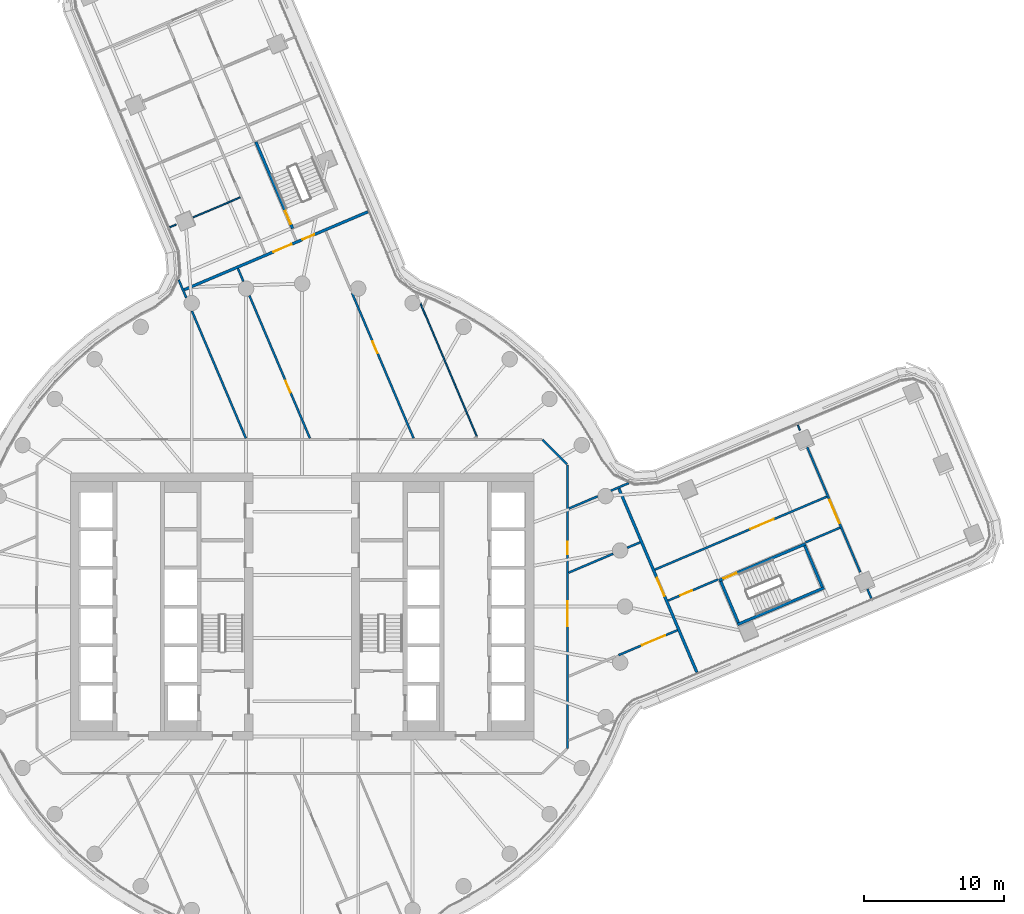
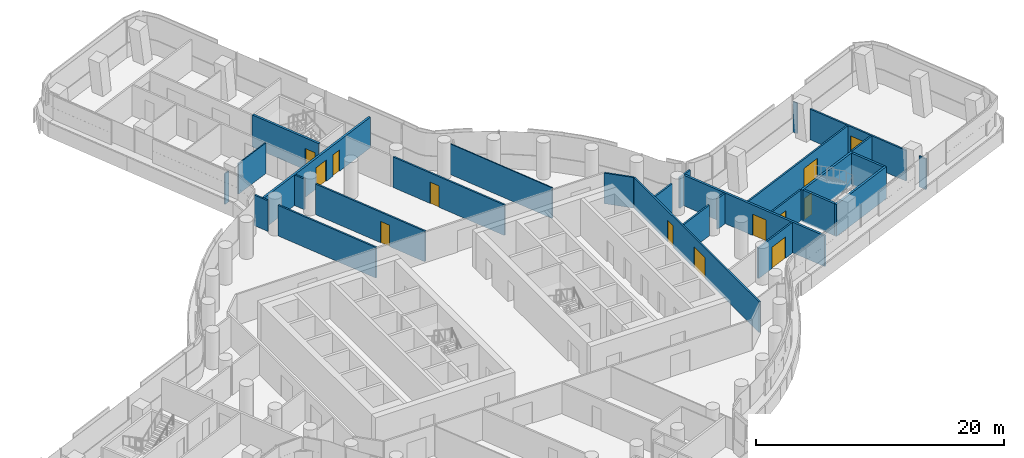
# One storey, part 25 of 35: 28 walls, 13 doors, 13 openings.
"""IFC4 building model written with IfcOpenShell, lengths in metres."""

import ifcopenshell
import ifcopenshell.guid

model = None  # the IFC model being written
_history = None  # IfcOwnerHistory: only IFC2X3 demands one
_inside = {}  # id of a spatial element -> (the spatial element, [elements in it])
_under = {}  # id of a project, library or spatial element -> (it, [spatial elements below it])
_declared = {}  # id of a project -> (the project, [libraries it declares])
_typed = {}  # id of a type object -> (the type object, [elements of that type])
_made_of = {}  # id of a material, layer set ... -> (it, [elements and type objects made of it])


def new_model(schema):
    """Start an empty IFC model of exactly this schema.

    Asked for "IFC4X3", IfcOpenShell would pick the latest addendum, in which some entities
    have other attributes; the version numbers below select the first issue.
    IFC2X3 requires an IfcOwnerHistory on every rooted entity: one is made here for all.
    """
    global model, _history
    if schema == "IFC4X3":
        model = ifcopenshell.file(schema_version=(4, 3, 0, 0))
    else:
        model = ifcopenshell.file(schema=schema)
    _inside.clear()
    _under.clear()
    _declared.clear()
    _typed.clear()
    _made_of.clear()
    _history = None
    if model.schema == "IFC2X3":
        org = make("IfcOrganization", Name="unknown")
        user = make(
            "IfcPersonAndOrganization",
            ThePerson=make("IfcPerson", FamilyName="unknown"),
            TheOrganization=org,
        )
        app = make(
            "IfcApplication",
            ApplicationDeveloper=org,
            Version="unknown",
            ApplicationFullName="unknown",
            ApplicationIdentifier="unknown",
        )
        _history = make(
            "IfcOwnerHistory",
            OwningUser=user,
            OwningApplication=app,
            ChangeAction="ADDED",
            CreationDate=0,
        )
    return model


def make(cls, **values):
    """One entity of the class cls with the attributes given. An attribute that is None is left unset."""
    return model.create_entity(
        cls, **{name: value for name, value in values.items() if value is not None}
    )


def rooted(cls, **values):
    """An entity with a GlobalId (a new one), such as an element, a storey or a relation."""
    return make(cls, GlobalId=ifcopenshell.guid.new(), OwnerHistory=_history, **values)


def si_unit(unit_type, name, prefix=None):
    """IfcSIUnit, for example si_unit("LENGTHUNIT", "METRE", prefix="MILLI")."""
    return make("IfcSIUnit", UnitType=unit_type, Prefix=prefix, Name=name)


def assignment(units):
    """IfcUnitAssignment: the units of a project."""
    return None if units is None else make("IfcUnitAssignment", Units=units)


def point(xyz):
    """IfcCartesianPoint."""
    return None if xyz is None else make("IfcCartesianPoint", Coordinates=xyz)


def direction(xyz):
    """IfcDirection."""
    return None if xyz is None else make("IfcDirection", DirectionRatios=xyz)


def frame(location, z_axis=None, x_axis=None):
    """IfcAxis2Placement3D, a coordinate frame: its origin and axes. An axis left out is left unset."""
    return make(
        "IfcAxis2Placement3D",
        Location=point(location),
        Axis=direction(z_axis),
        RefDirection=direction(x_axis),
    )


def frame_2d(location, x_axis=None):
    """IfcAxis2Placement2D, a coordinate frame in the plane: its origin and x axis."""
    return make(
        "IfcAxis2Placement2D", Location=point(location), RefDirection=direction(x_axis)
    )


def origin():
    """The frame at (0, 0, 0) with its axes left unset."""
    return frame((0.0, 0.0, 0.0))


def place(relative_to, where):
    """IfcLocalPlacement: puts the frame where relative to a parent placement (None: the world)."""
    return make(
        "IfcLocalPlacement", PlacementRelTo=relative_to, RelativePlacement=where
    )


def context(
    kind, dimensions, precision=None, world=None, true_north=None, identifier=None
):
    """IfcGeometricRepresentationContext, for example the 3D "Model" context."""
    return make(
        "IfcGeometricRepresentationContext",
        ContextIdentifier=identifier,
        ContextType=kind,
        CoordinateSpaceDimension=dimensions,
        Precision=precision,
        WorldCoordinateSystem=world,
        TrueNorth=true_north,
    )


def subcontext(parent, identifier, kind, view, scale=None):
    """IfcGeometricRepresentationSubContext, for example "Body" below "Model"."""
    return make(
        "IfcGeometricRepresentationSubContext",
        ContextIdentifier=identifier,
        ContextType=kind,
        ParentContext=parent,
        TargetScale=scale,
        TargetView=view,
    )


def project(units=None, contexts=None):
    """IfcProject with its units and contexts."""
    return rooted(
        "IfcProject",
        Name="project",
        RepresentationContexts=contexts,
        UnitsInContext=assignment(units),
    )


def spatial(cls, under=None, at=None, **own):
    """A site, building, storey or space (cls), placed at a placement, below another one or the project."""
    s = rooted(cls, ObjectPlacement=at, **own)
    if under is not None:
        _under.setdefault(under.id(), (under, []))[1].append(s)
    return s


def polyline(points):
    """IfcPolyline through the points."""
    return make("IfcPolyline", Points=[point(p) for p in points])


def profile(cls, at=None, kind="AREA", **sizes):
    """A parametric profile (cls). Its sizes go by their IFC names, for example OverallWidth=200.0."""
    return make(cls, ProfileType=kind, Position=at, **sizes)


def rectangle(**sizes):
    """IfcRectangleProfileDef."""
    return profile("IfcRectangleProfileDef", **sizes)


def outline(outer, holes=None, kind="AREA"):
    """IfcArbitraryClosedProfileDef: a profile drawn as a closed curve; with holes, ...WithVoids."""
    if holes is None:
        return make("IfcArbitraryClosedProfileDef", ProfileType=kind, OuterCurve=outer)
    return make(
        "IfcArbitraryProfileDefWithVoids",
        ProfileType=kind,
        OuterCurve=outer,
        InnerCurves=holes,
    )


def extrude(swept, where, along, depth):
    """IfcExtrudedAreaSolid: the profile swept, set in the frame where, extruded along a direction by depth."""
    return make(
        "IfcExtrudedAreaSolid",
        SweptArea=swept,
        Position=where,
        ExtrudedDirection=direction(along),
        Depth=depth,
    )


def shape(context_of_items, identifier, shape_type, items):
    """IfcShapeRepresentation: the items that make up one representation, for example the "Body"."""
    return make(
        "IfcShapeRepresentation",
        ContextOfItems=context_of_items,
        RepresentationIdentifier=identifier,
        RepresentationType=shape_type,
        Items=items,
    )


def material(Name=None, Category=None):
    """IfcMaterial."""
    return make("IfcMaterial", Name=Name, Category=Category)


def layer(
    of_material, thickness, ventilated=None, Name=None, Category=None, Priority=None
):
    """IfcMaterialLayer: one layer of a wall or slab, of a material (None: an air gap)."""
    return make(
        "IfcMaterialLayer",
        Material=of_material,
        LayerThickness=thickness,
        IsVentilated=ventilated,
        Name=Name,
        Category=Category,
        Priority=Priority,
    )


def layer_set(layers, Name=None):
    """IfcMaterialLayerSet."""
    return make("IfcMaterialLayerSet", MaterialLayers=layers, LayerSetName=Name)


def made_of(thing, what):
    """Note that an element or type object is made of a material, layer set ...; save() writes the relation."""
    if what is not None:
        _made_of.setdefault(what.id(), (what, []))[1].append(thing)
    return thing


def type_object(cls, material=None, **own):
    """A type object (cls), such as IfcWallType, which elements share."""
    return made_of(rooted(cls, **own), material)


def element(
    cls,
    number,
    at=None,
    inside=None,
    cuts=None,
    type_object=None,
    material=None,
    context=None,
    identifier="Body",
    shape_type=None,
    held_by="IfcProductDefinitionShape",
    body=None,
    shapes=None,
    **own,
):
    """One element of the class cls, such as IfcWall. Its Tag is "e" and its number.

    at: its placement. inside: the storey or other place that contains it. cuts: it is an
    opening in that element (IfcRelVoidsElement). A single representation is given by context,
    identifier, shape_type and body (its items); several are given by shapes. held_by: the class
    of the entity that holds the representations. save() writes the other relations.
    """
    e = rooted(cls, Tag="e%d" % number, ObjectPlacement=at, **own)
    if body is not None:
        shapes = [shape(context, identifier, shape_type, body)]
    if shapes is not None:
        e.Representation = make(held_by, Representations=shapes)
    if inside is not None:
        _inside.setdefault(inside.id(), (inside, []))[1].append(e)
    if cuts is not None:
        rooted(
            "IfcRelVoidsElement", RelatingBuildingElement=cuts, RelatedOpeningElement=e
        )
    if type_object is not None:
        _typed.setdefault(type_object.id(), (type_object, []))[1].append(e)
    return made_of(e, material)


def fill(opening, filler):
    """IfcRelFillsElement: the door or window that sits in an opening."""
    return rooted(
        "IfcRelFillsElement",
        RelatingOpeningElement=opening,
        RelatedBuildingElement=filler,
    )


def aggregate(whole, parts):
    """IfcRelAggregates: a whole, such as a stair, and the parts it consists of."""
    return rooted("IfcRelAggregates", RelatingObject=whole, RelatedObjects=parts)


def save(model, path):
    """Write the relations noted so far, then the file.

    IfcRelAggregates (storeys below a building ...), IfcRelContainedInSpatialStructure (elements
    in a storey), IfcRelDefinesByType, IfcRelAssociatesMaterial and IfcRelDeclares: one each for
    every whole, place, type object, material and project.
    """
    for whole, parts in _under.values():
        aggregate(whole, parts)
    for where, things in _inside.values():
        rooted(
            "IfcRelContainedInSpatialStructure",
            RelatedElements=things,
            RelatingStructure=where,
        )
    for kind, things in _typed.values():
        rooted("IfcRelDefinesByType", RelatedObjects=things, RelatingType=kind)
    for what, things in _made_of.values():
        rooted("IfcRelAssociatesMaterial", RelatedObjects=things, RelatingMaterial=what)
    for by, libraries in _declared.values():
        rooted("IfcRelDeclares", RelatingContext=by, RelatedDefinitions=libraries)
    model.write(path)


model = new_model("IFC4")

# Units and contexts
model_context = context("Model", 3, precision=1e-05, world=origin(), true_north=direction((0.0, 1.0)))
body_context = subcontext(model_context, "Body", "Model", "MODEL_VIEW")
ifc_project = project(units=[si_unit("LENGTHUNIT", "METRE"), si_unit("AREAUNIT", "SQUARE_METRE"), si_unit("VOLUMEUNIT", "CUBIC_METRE"), si_unit("PLANEANGLEUNIT", "RADIAN"), si_unit("MASSUNIT", "GRAM", prefix="KILO")], contexts=[model_context])

# Site, building, storey
site_placement = place(None, origin())
site = spatial("IfcSite", under=ifc_project, at=site_placement, CompositionType="ELEMENT")
building_placement = place(site_placement, origin())
building = spatial("IfcBuilding", under=site, at=building_placement, Name="Tamarind Cross Interchange Tower", CompositionType="ELEMENT")
storey_placement = place(building_placement, frame((0.0, 0.0, 117.25)))
storey = spatial("IfcBuildingStorey", under=building, at=storey_placement, Name="L28", CompositionType="ELEMENT", Elevation=117.25)

# Walls
ifc_material_1 = material(Name="Gypsum board partition on steel studs", Category="steel")
ifc_layer_1 = layer(ifc_material_1, 0.10009765625)
ifc_layer_set_1 = layer_set([ifc_layer_1], Name="Gypsum board partition on steel studs")
wall_type_1 = type_object("IfcWallType", Name="Partition 100 mm EI 90", PredefinedType="PARTITIONING", material=ifc_layer_set_1)
wall_1_placement = place(storey_placement, frame((8.423583984375, 21.6025390625, 0.0), z_axis=(0.0, 0.0, 1.0), x_axis=(0.390568116641, -0.920574030844, 0.0)))
element("IfcWall", 1, at=wall_1_placement, inside=storey, type_object=wall_type_1, Name="Partition L28-028", PredefinedType="PARTITIONING", context=body_context, shape_type="SweptSolid", body=[
    extrude(rectangle(XDim=10.295166015625, YDim=0.10009765625, at=frame_2d((5.1474609375, 0.0))), origin(), (0.0, 0.0, 1.0), 3.010009765625),
])
wall_2_placement = place(storey_placement, frame((35.305419921875, 12.935302734375, 0.0), z_axis=(0.0, 0.0, 1.0), x_axis=(0.390243347733, -0.920711751609, 0.0)))
element("IfcWall", 2, at=wall_2_placement, inside=storey, type_object=wall_type_1, Name="Partition L28-030", PredefinedType="PARTITIONING", context=body_context, shape_type="SweptSolid", body=[
    extrude(rectangle(XDim=0.4091796875, YDim=0.10009765625, at=frame_2d((0.20458984375, 0.0))), origin(), (0.0, 0.0, 1.0), 3.010009765625),
])
wall_3_placement = place(storey_placement, frame((-9.4345703125, 27.013671875, 0.0), z_axis=(0.0, 0.0, 1.0), x_axis=(0.920660619586, 0.390363962917, 0.0)))
element("IfcWall", 3, at=wall_3_placement, inside=storey, type_object=wall_type_1, Name="Partition L28-058", PredefinedType="PARTITIONING", context=body_context, shape_type="SweptSolid", body=[
    extrude(rectangle(XDim=0.505859375, YDim=0.10009765625, at=frame_2d((0.2529296875, 0.0))), origin(), (0.0, 0.0, 1.0), 3.010009765625),
])
wall_4_placement = place(storey_placement, frame((-7.765380859375, 27.7216796875, 0.0), z_axis=(0.0, 0.0, 1.0), x_axis=(0.920627091649, 0.390443028011, 0.0)))
element("IfcWall", 4, at=wall_4_placement, inside=storey, type_object=wall_type_1, Name="Partition L28-059", PredefinedType="PARTITIONING", context=body_context, shape_type="SweptSolid", body=[
    extrude(rectangle(XDim=3.63916015625, YDim=0.10009765625, at=frame_2d((1.819580078125, 0.0))), origin(), (0.0, 0.0, 1.0), 3.010009765625),
])
ifc_layer_2 = layer(ifc_material_1, 0.14990234375)
ifc_layer_set_2 = layer_set([ifc_layer_2], Name="Gypsum board partition on steel studs")
wall_type_2 = type_object("IfcWallType", Name="Partition 150 mm EI 120", PredefinedType="PARTITIONING", material=ifc_layer_set_2)
wall_5_placement = place(storey_placement, frame((-8.79443359375, 23.27099609375, 0.0), z_axis=(0.0, 0.0, 1.0), x_axis=(0.39037380127, -0.920656448021, 0.0)))
element("IfcWall", 5, at=wall_5_placement, inside=storey, type_object=wall_type_2, Name="Partition L28-008", PredefinedType="PARTITIONING", context=body_context, shape_type="SweptSolid", body=[
    extrude(rectangle(XDim=1.388916015625, YDim=0.14990234375, at=frame_2d((0.6943359375, 0.0))), origin(), (0.0, 0.0, 1.0), 3.010009765625),
])
wall_6_placement = place(storey_placement, frame((-7.85498046875, 21.055908203125, 0.0), z_axis=(0.0, 0.0, 1.0), x_axis=(0.390527569726, -0.920591232461, 0.0)))
element("IfcWall", 6, at=wall_6_placement, inside=storey, type_object=wall_type_2, Name="Partition L28-009", PredefinedType="PARTITIONING", context=body_context, shape_type="SweptSolid", body=[
    extrude(rectangle(XDim=9.8505859375, YDim=0.14990234375, at=frame_2d((4.92529296875, 0.0))), origin(), (0.0, 0.0, 1.0), 3.010009765625),
])
wall_7_placement = place(storey_placement, frame((-4.574951171875, 24.078857421875, 0.0), z_axis=(0.0, 0.0, 1.0), x_axis=(0.390612620021, -0.92055514831, 0.0)))
element("IfcWall", 7, at=wall_7_placement, inside=storey, type_object=wall_type_2, Name="Partition L28-014", PredefinedType="PARTITIONING", context=body_context, shape_type="SweptSolid", body=[
    extrude(rectangle(XDim=0.998779296875, YDim=0.14990234375, at=frame_2d((0.49951171875, 0.0))), origin(), (0.0, 0.0, 1.0), 3.010009765625),
])

# Wall, opening, door
wall_8_placement = place(storey_placement, frame((-3.75830078125, 22.15380859375, 0.0), z_axis=(0.0, 0.0, 1.0), x_axis=(0.390495909229, -0.92060466264, 0.0)))
wall_8 = element("IfcWall", 8, at=wall_8_placement, inside=storey, type_object=wall_type_2, Name="Partition L28-015", PredefinedType="PARTITIONING", context=body_context, shape_type="SweptSolid", body=[
    extrude(rectangle(XDim=11.04296875, YDim=0.14990234375, at=frame_2d((5.521484375, 0.0))), origin(), (0.0, 0.0, 1.0), 3.010009765625),
])
opening_1_placement = place(wall_8_placement, frame((6.60009765625, 0.0, 0.0)))
opening_1 = element("IfcOpeningElement", 9, at=opening_1_placement, cuts=wall_8, Name="Opening D10", PredefinedType="OPENING", context=body_context, shape_type="SweptSolid", body=[
    extrude(rectangle(XDim=0.89990234375, YDim=2.10009765625, at=frame_2d((0.449951171875, 1.050048828125))), frame((0.0, 0.0849609375, 0.0), z_axis=(0.0, -1.0, 0.0), x_axis=(1.0, 0.0, 0.0)), (0.0, 0.0, 1.0), 0.169921875),
])
ifc_material_2 = material(Name="Fire-resisting door set")
door_type_1 = type_object("IfcDoorType", Name="Interior door 900 x 2100 FD60S", OperationType="SINGLE_SWING_LEFT", PredefinedType="DOOR", material=ifc_material_2)
door_1_placement = place(opening_1_placement, frame((0.89990234375, 0.0, 0.0), z_axis=(0.0, 0.0, 1.0), x_axis=(-1.0, 0.0, 0.0)))
door_1 = element("IfcDoor", 10, at=door_1_placement, inside=storey, type_object=door_type_1, Name="Door D10", OperationType="SINGLE_SWING_RIGHT", OverallHeight=2.10009765625, OverallWidth=0.89990234375, PredefinedType="DOOR", context=body_context, shape_type="SweptSolid", body=[
    extrude(rectangle(XDim=0.89990234375, YDim=2.10009765625, at=frame_2d((0.449951171875, 1.050048828125))), frame((0.0, 0.02490234375, 0.0), z_axis=(0.0, -1.0, 0.0), x_axis=(1.0, 0.0, 0.0)), (0.0, 0.0, 1.0), 0.050048828125),
])
fill(opening_1, door_1)

wall_9_placement = place(storey_placement, frame((3.5556640625, 22.323974609375, 0.0), z_axis=(0.0, 0.0, 1.0), x_axis=(0.390483953043, -0.920609734043, 0.0)))
wall_9 = element("IfcWall", 11, at=wall_9_placement, inside=storey, type_object=wall_type_2, Name="Partition L28-021", PredefinedType="PARTITIONING", context=body_context, shape_type="SweptSolid", body=[
    extrude(rectangle(XDim=11.227783203125, YDim=0.14990234375, at=frame_2d((5.61376953125, 0.0))), origin(), (0.0, 0.0, 1.0), 3.010009765625),
])
opening_2_placement = place(wall_9_placement, frame((3.75, 0.0, 0.0)))
opening_2 = element("IfcOpeningElement", 12, at=opening_2_placement, cuts=wall_9, Name="Opening D15", PredefinedType="OPENING", context=body_context, shape_type="SweptSolid", body=[
    extrude(rectangle(XDim=0.89990234375, YDim=2.10009765625, at=frame_2d((0.449951171875, 1.050048828125))), frame((0.0, 0.0849609375, 0.0), z_axis=(0.0, -1.0, 0.0), x_axis=(1.0, 0.0, 0.0)), (0.0, 0.0, 1.0), 0.169921875),
])
door_2_placement = place(opening_2_placement, origin())
door_2 = element("IfcDoor", 13, at=door_2_placement, inside=storey, type_object=door_type_1, Name="Door D15", OperationType="SINGLE_SWING_RIGHT", OverallHeight=2.10009765625, OverallWidth=0.89990234375, PredefinedType="DOOR", context=body_context, shape_type="SweptSolid", body=[
    extrude(rectangle(XDim=0.89990234375, YDim=2.10009765625, at=frame_2d((0.449951171875, 1.050048828125))), frame((0.0, 0.02490234375, 0.0), z_axis=(0.0, -1.0, 0.0), x_axis=(1.0, 0.0, 0.0)), (0.0, 0.0, 1.0), 0.050048828125),
])
fill(opening_2, door_2)

wall_10_placement = place(storey_placement, frame((35.975341796875, 11.35546875, 0.0), z_axis=(0.0, 0.0, 1.0), x_axis=(0.390479231457, -0.920611736728, 0.0)))
wall_10 = element("IfcWall", 14, at=wall_10_placement, inside=storey, type_object=wall_type_2, Name="Partition L28-031", PredefinedType="PARTITIONING", context=body_context, shape_type="SweptSolid", body=[
    extrude(rectangle(XDim=9.677978515625, YDim=0.14990234375, at=frame_2d((4.8388671875, 0.0))), origin(), (0.0, 0.0, 1.0), 3.010009765625),
])
opening_3_placement = place(wall_10_placement, frame((4.096923828125, 0.0, 0.0)))
opening_3 = element("IfcOpeningElement", 15, at=opening_3_placement, cuts=wall_10, Name="Opening D21", PredefinedType="OPENING", context=body_context, shape_type="SweptSolid", body=[
    extrude(rectangle(XDim=1.800048828125, YDim=2.10009765625, at=frame_2d((0.89990234375, 1.050048828125))), frame((0.0, 0.0849609375, 0.0), z_axis=(0.0, -1.0, 0.0), x_axis=(1.0, 0.0, 0.0)), (0.0, 0.0, 1.0), 0.169921875),
])
door_type_2 = type_object("IfcDoorType", Name="Interior door 1800 x 2100 FD60S", OperationType="DOUBLE_DOOR_SINGLE_SWING", PredefinedType="DOOR", material=ifc_material_2)
door_3_placement = place(opening_3_placement, frame((1.800048828125, 0.0, 0.0), z_axis=(0.0, 0.0, 1.0), x_axis=(-1.0, 0.0, 0.0)))
door_3 = element("IfcDoor", 16, at=door_3_placement, inside=storey, type_object=door_type_2, Name="Door D21", OperationType="DOUBLE_DOOR_SINGLE_SWING", OverallHeight=2.10009765625, OverallWidth=1.800048828125, PredefinedType="DOOR", context=body_context, shape_type="SweptSolid", body=[
    extrude(rectangle(XDim=1.800048828125, YDim=2.10009765625, at=frame_2d((0.89990234375, 1.050048828125))), frame((0.0, 0.02490234375, 0.0), z_axis=(0.0, -1.0, 0.0), x_axis=(1.0, 0.0, 0.0)), (0.0, 0.0, 1.0), 0.050048828125),
])
fill(opening_3, door_3)

# Walls
wall_11_placement = place(storey_placement, frame((40.264892578125, 1.24267578125, 0.0), z_axis=(0.0, 0.0, 1.0), x_axis=(0.390267506405, -0.92070151159, 0.0)))
element("IfcWall", 17, at=wall_11_placement, inside=storey, type_object=wall_type_2, Name="Partition L28-032", PredefinedType="PARTITIONING", context=body_context, shape_type="SweptSolid", body=[
    extrude(rectangle(XDim=0.710693359375, YDim=0.14990234375, at=frame_2d((0.35546875, 0.0))), origin(), (0.0, 0.0, 1.0), 3.010009765625),
])
wall_12_placement = place(storey_placement, frame((17.12841796875, 11.87158203125, 0.0), z_axis=(0.0, 0.0, 1.0), x_axis=(0.707106781187, -0.707106781187, 0.0)))
element("IfcWall", 18, at=wall_12_placement, inside=storey, type_object=wall_type_2, Name="Partition L28-034", PredefinedType="PARTITIONING", context=body_context, shape_type="SweptSolid", body=[
    extrude(rectangle(XDim=2.465087890625, YDim=0.14990234375, at=frame_2d((1.232421875, 0.0))), origin(), (0.0, 0.0, 1.0), 3.010009765625),
])

# Wall, opening, door
wall_13_placement = place(storey_placement, frame((22.54296875, -3.462646484375, 0.0), z_axis=(0.0, 0.0, 1.0), x_axis=(0.920611578245, 0.390479605103, 0.0)))
wall_13 = element("IfcWall", 19, at=wall_13_placement, inside=storey, type_object=wall_type_2, Name="Partition L28-075", PredefinedType="PARTITIONING", context=body_context, shape_type="SweptSolid", body=[
    extrude(rectangle(XDim=4.55224609375, YDim=0.14990234375, at=frame_2d((2.276123046875, 0.0))), origin(), (0.0, 0.0, 1.0), 3.010009765625),
])
opening_4_placement = place(wall_13_placement, frame((1.800048828125, 0.0, 0.0)))
opening_4 = element("IfcOpeningElement", 20, at=opening_4_placement, cuts=wall_13, Name="Opening D36", PredefinedType="OPENING", context=body_context, shape_type="SweptSolid", body=[
    extrude(rectangle(XDim=1.800048828125, YDim=2.10009765625, at=frame_2d((0.89990234375, 1.050048828125))), frame((0.0, 0.0849609375, 0.0), z_axis=(0.0, -1.0, 0.0), x_axis=(1.0, 0.0, 0.0)), (0.0, 0.0, 1.0), 0.169921875),
])
door_4_placement = place(opening_4_placement, frame((1.800048828125, 0.0, 0.0), z_axis=(0.0, 0.0, 1.0), x_axis=(-1.0, 0.0, 0.0)))
door_4 = element("IfcDoor", 21, at=door_4_placement, inside=storey, type_object=door_type_2, Name="Door D36", OperationType="DOUBLE_DOOR_SINGLE_SWING", OverallHeight=2.10009765625, OverallWidth=1.800048828125, PredefinedType="DOOR", context=body_context, shape_type="SweptSolid", body=[
    extrude(rectangle(XDim=1.800048828125, YDim=2.10009765625, at=frame_2d((0.89990234375, 1.050048828125))), frame((0.0, 0.02490234375, 0.0), z_axis=(0.0, -1.0, 0.0), x_axis=(1.0, 0.0, 0.0)), (0.0, 0.0, 1.0), 0.050048828125),
])
fill(opening_4, door_4)

# Walls
wall_14_placement = place(storey_placement, frame((18.987548828125, 2.4150390625, 0.0), z_axis=(0.0, 0.0, 1.0), x_axis=(0.920581781875, 0.390549846856, 0.0)))
element("IfcWall", 22, at=wall_14_placement, inside=storey, type_object=wall_type_2, Name="Partition L28-076", PredefinedType="PARTITIONING", context=body_context, shape_type="SweptSolid", body=[
    extrude(rectangle(XDim=3.439453125, YDim=0.14990234375, at=frame_2d((1.7197265625, 0.0))), origin(), (0.0, 0.0, 1.0), 3.010009765625),
])
wall_15_placement = place(storey_placement, frame((23.159423828125, 4.184814453125, 0.0), z_axis=(0.0, 0.0, 1.0), x_axis=(0.92055514831, 0.390612620021, 0.0)))
element("IfcWall", 23, at=wall_15_placement, inside=storey, type_object=wall_type_2, Name="Partition L28-077", PredefinedType="PARTITIONING", context=body_context, shape_type="SweptSolid", body=[
    extrude(rectangle(XDim=0.998779296875, YDim=0.14990234375, at=frame_2d((0.49951171875, 0.0))), origin(), (0.0, 0.0, 1.0), 3.010009765625),
])
wall_16_placement = place(storey_placement, frame((18.987548828125, 6.97802734375, 0.0), z_axis=(0.0, 0.0, 1.0), x_axis=(0.920667005951, 0.39034890054, 0.0)))
element("IfcWall", 24, at=wall_16_placement, inside=storey, type_object=wall_type_2, Name="Partition L28-078", PredefinedType="PARTITIONING", context=body_context, shape_type="SweptSolid", body=[
    extrude(rectangle(XDim=2.24658203125, YDim=0.14990234375, at=frame_2d((1.123291015625, 0.0))), origin(), (0.0, 0.0, 1.0), 3.010009765625),
])
wall_17_placement = place(storey_placement, frame((21.9921875, 8.251953125, 0.0), z_axis=(0.0, 0.0, 1.0), x_axis=(0.920709992245, 0.390247498621, 0.0)))
element("IfcWall", 25, at=wall_17_placement, inside=storey, type_object=wall_type_2, Name="Partition L28-079", PredefinedType="PARTITIONING", context=body_context, shape_type="SweptSolid", body=[
    extrude(rectangle(XDim=1.389404296875, YDim=0.14990234375, at=frame_2d((0.69482421875, 0.0))), origin(), (0.0, 0.0, 1.0), 3.010009765625),
])

# Wall, opening, door
wall_18_placement = place(storey_placement, frame((25.126708984375, 2.6298828125, 0.0), z_axis=(0.0, 0.0, 1.0), x_axis=(0.920614728808, 0.390472177115, 0.0)))
wall_18 = element("IfcWall", 26, at=wall_18_placement, inside=storey, type_object=wall_type_2, Name="Partition L28-080", PredefinedType="PARTITIONING", context=body_context, shape_type="SweptSolid", body=[
    extrude(rectangle(XDim=13.319580078125, YDim=0.14990234375, at=frame_2d((6.65966796875, 0.0))), origin(), (0.0, 0.0, 1.0), 3.010009765625),
])
opening_5_placement = place(wall_18_placement, frame((7.39501953125, 0.0, 0.0)))
opening_5 = element("IfcOpeningElement", 27, at=opening_5_placement, cuts=wall_18, Name="Opening D37", PredefinedType="OPENING", context=body_context, shape_type="SweptSolid", body=[
    extrude(rectangle(XDim=1.800048828125, YDim=2.10009765625, at=frame_2d((0.89990234375, 1.050048828125))), frame((0.0, 0.0849609375, 0.0), z_axis=(0.0, -1.0, 0.0), x_axis=(1.0, 0.0, 0.0)), (0.0, 0.0, 1.0), 0.169921875),
])
door_5_placement = place(opening_5_placement, frame((1.800048828125, 0.0, 0.0), z_axis=(0.0, 0.0, 1.0), x_axis=(-1.0, 0.0, 0.0)))
door_5 = element("IfcDoor", 28, at=door_5_placement, inside=storey, type_object=door_type_2, Name="Door D37", OperationType="DOUBLE_DOOR_SINGLE_SWING", OverallHeight=2.10009765625, OverallWidth=1.800048828125, PredefinedType="DOOR", context=body_context, shape_type="SweptSolid", body=[
    extrude(rectangle(XDim=1.800048828125, YDim=2.10009765625, at=frame_2d((0.89990234375, 1.050048828125))), frame((0.0, 0.02490234375, 0.0), z_axis=(0.0, -1.0, 0.0), x_axis=(1.0, 0.0, 0.0)), (0.0, 0.0, 1.0), 0.050048828125),
])
fill(opening_5, door_5)

wall_19_placement = place(storey_placement, frame((26.063720703125, 0.419921875, 0.0), z_axis=(0.0, 0.0, 1.0), x_axis=(0.920628687217, 0.390439265794, 0.0)))
wall_19 = element("IfcWall", 29, at=wall_19_placement, inside=storey, type_object=wall_type_2, Name="Partition L28-081", PredefinedType="PARTITIONING", context=body_context, shape_type="SweptSolid", body=[
    extrude(rectangle(XDim=3.85546875, YDim=0.14990234375, at=frame_2d((1.927734375, 0.0))), origin(), (0.0, 0.0, 1.0), 3.010009765625),
])
opening_6_placement = place(wall_19_placement, frame((0.945068359375, 0.0, 0.0)))
opening_6 = element("IfcOpeningElement", 30, at=opening_6_placement, cuts=wall_19, Name="Opening D38", PredefinedType="OPENING", context=body_context, shape_type="SweptSolid", body=[
    extrude(rectangle(XDim=0.89990234375, YDim=2.10009765625, at=frame_2d((0.449951171875, 1.050048828125))), frame((0.0, 0.0849609375, 0.0), z_axis=(0.0, -1.0, 0.0), x_axis=(1.0, 0.0, 0.0)), (0.0, 0.0, 1.0), 0.169921875),
])
door_6_placement = place(opening_6_placement, frame((0.89990234375, 0.0, 0.0), z_axis=(0.0, 0.0, 1.0), x_axis=(-1.0, 0.0, 0.0)))
door_6 = element("IfcDoor", 31, at=door_6_placement, inside=storey, type_object=door_type_1, Name="Door D38", OperationType="SINGLE_SWING_LEFT", OverallHeight=2.10009765625, OverallWidth=0.89990234375, PredefinedType="DOOR", context=body_context, shape_type="SweptSolid", body=[
    extrude(rectangle(XDim=0.89990234375, YDim=2.10009765625, at=frame_2d((0.449951171875, 1.050048828125))), frame((0.0, 0.02490234375, 0.0), z_axis=(0.0, -1.0, 0.0), x_axis=(1.0, 0.0, 0.0)), (0.0, 0.0, 1.0), 0.050048828125),
])
fill(opening_6, door_6)

# Wall
wall_20_placement = place(storey_placement, frame((35.853759765625, 4.572021484375, 0.0), z_axis=(0.0, 0.0, 1.0), x_axis=(0.92060554781, 0.390493822412, 0.0)))
element("IfcWall", 32, at=wall_20_placement, inside=storey, type_object=wall_type_2, Name="Partition L28-082", PredefinedType="PARTITIONING", context=body_context, shape_type="SweptSolid", body=[
    extrude(rectangle(XDim=2.685791015625, YDim=0.14990234375, at=frame_2d((1.3427734375, 0.0))), origin(), (0.0, 0.0, 1.0), 3.010009765625),
])

# Wall, openings, doors
wall_21_placement = place(storey_placement, frame((18.89990234375, -10.10009765625, 0.0), z_axis=(0.0, 0.0, 1.0), x_axis=(0.0, 1.0, 0.0)))
wall_21 = element("IfcWall", 33, at=wall_21_placement, inside=storey, type_object=wall_type_2, Name="Partition L28-088", PredefinedType="PARTITIONING", context=body_context, shape_type="SweptSolid", body=[
    extrude(rectangle(XDim=20.2001953125, YDim=0.14990234375, at=frame_2d((10.10009765625, 0.0))), origin(), (0.0, 0.0, 1.0), 3.010009765625),
])
opening_7_placement = place(wall_21_placement, frame((8.69189453125, 0.0, 0.0)))
opening_7 = element("IfcOpeningElement", 34, at=opening_7_placement, cuts=wall_21, Name="Opening D41", PredefinedType="OPENING", context=body_context, shape_type="SweptSolid", body=[
    extrude(rectangle(XDim=1.800048828125, YDim=2.10009765625, at=frame_2d((0.89990234375, 1.050048828125))), frame((0.0, 0.0849609375, 0.0), z_axis=(0.0, -1.0, 0.0), x_axis=(1.0, 0.0, 0.0)), (0.0, 0.0, 1.0), 0.169921875),
])
opening_8_placement = place(wall_21_placement, frame((13.827880859375, 0.0, 0.0)))
opening_8 = element("IfcOpeningElement", 35, at=opening_8_placement, cuts=wall_21, Name="Opening D42", PredefinedType="OPENING", context=body_context, shape_type="SweptSolid", body=[
    extrude(rectangle(XDim=0.89990234375, YDim=2.10009765625, at=frame_2d((0.449951171875, 1.050048828125))), frame((0.0, 0.0849609375, 0.0), z_axis=(0.0, -1.0, 0.0), x_axis=(1.0, 0.0, 0.0)), (0.0, 0.0, 1.0), 0.169921875),
])
door_7_placement = place(opening_7_placement, origin())
door_7 = element("IfcDoor", 36, at=door_7_placement, inside=storey, type_object=door_type_2, Name="Door D41", OperationType="DOUBLE_DOOR_SINGLE_SWING", OverallHeight=2.10009765625, OverallWidth=1.800048828125, PredefinedType="DOOR", context=body_context, shape_type="SweptSolid", body=[
    extrude(rectangle(XDim=1.800048828125, YDim=2.10009765625, at=frame_2d((0.89990234375, 1.050048828125))), frame((0.0, 0.02490234375, 0.0), z_axis=(0.0, -1.0, 0.0), x_axis=(1.0, 0.0, 0.0)), (0.0, 0.0, 1.0), 0.050048828125),
])
fill(opening_7, door_7)
door_8_placement = place(opening_8_placement, frame((0.89990234375, 0.0, 0.0), z_axis=(0.0, 0.0, 1.0), x_axis=(-1.0, 0.0, 0.0)))
door_8 = element("IfcDoor", 37, at=door_8_placement, inside=storey, type_object=door_type_1, Name="Door D42", OperationType="SINGLE_SWING_RIGHT", OverallHeight=2.10009765625, OverallWidth=0.89990234375, PredefinedType="DOOR", context=body_context, shape_type="SweptSolid", body=[
    extrude(rectangle(XDim=0.89990234375, YDim=2.10009765625, at=frame_2d((0.449951171875, 1.050048828125))), frame((0.0, 0.02490234375, 0.0), z_axis=(0.0, -1.0, 0.0), x_axis=(1.0, 0.0, 0.0)), (0.0, 0.0, 1.0), 0.050048828125),
])
fill(opening_8, door_8)

# Wall, opening, door
ifc_layer_3 = layer(ifc_material_1, 0.199951171875)
ifc_layer_set_3 = layer_set([ifc_layer_3], Name="Gypsum board partition on steel studs")
wall_type_3 = type_object("IfcWallType", Name="Partition 200 mm EI 180", PredefinedType="PARTITIONING", material=ifc_layer_set_3)
wall_22_placement = place(storey_placement, frame((22.561279296875, 8.406494140625, 0.0), z_axis=(0.0, 0.0, 1.0), x_axis=(0.390723572262, -0.920508060844, 0.0)))
wall_22 = element("IfcWall", 38, at=wall_22_placement, inside=storey, type_object=wall_type_3, Name="Partition L28-029", PredefinedType="PARTITIONING", context=body_context, shape_type="SweptSolid", body=[
    extrude(rectangle(XDim=14.218994140625, YDim=0.199951171875, at=frame_2d((7.109375, 0.0))), origin(), (0.0, 0.0, 1.0), 3.010009765625),
])
opening_9_placement = place(wall_22_placement, frame((6.91943359375, 0.0, 0.0)))
opening_9 = element("IfcOpeningElement", 39, at=opening_9_placement, cuts=wall_22, Name="Opening D20", PredefinedType="OPENING", context=body_context, shape_type="SweptSolid", body=[
    extrude(rectangle(XDim=1.39990234375, YDim=2.10009765625, at=frame_2d((0.699951171875, 1.050048828125))), frame((0.0, 0.10986328125, 0.0), z_axis=(0.0, -1.0, 0.0), x_axis=(1.0, 0.0, 0.0)), (0.0, 0.0, 1.0), 0.219970703125),
])
door_type_3 = type_object("IfcDoorType", Name="Interior door 1400 x 2100 FD120S", OperationType="DOUBLE_DOOR_SINGLE_SWING", PredefinedType="DOOR", material=ifc_material_2)
door_9_placement = place(opening_9_placement, frame((1.39990234375, 0.0, 0.0), z_axis=(0.0, 0.0, 1.0), x_axis=(-1.0, 0.0, 0.0)))
door_9 = element("IfcDoor", 40, at=door_9_placement, inside=storey, type_object=door_type_3, Name="Door D20", OperationType="DOUBLE_DOOR_SINGLE_SWING", OverallHeight=2.10009765625, OverallWidth=1.39990234375, PredefinedType="DOOR", context=body_context, shape_type="SweptSolid", body=[
    extrude(rectangle(XDim=1.39990234375, YDim=2.10009765625, at=frame_2d((0.699951171875, 1.050048828125))), frame((0.0, 0.02490234375, 0.0), z_axis=(0.0, -1.0, 0.0), x_axis=(1.0, 0.0, 0.0)), (0.0, 0.0, 1.0), 0.050048828125),
])
fill(opening_9, door_9)

# Wall, openings, doors
wall_23_placement = place(storey_placement, frame((-8.406494140625, 22.561279296875, 0.0), z_axis=(0.0, 0.0, 1.0), x_axis=(0.920508060844, 0.390723572262, 0.0)))
wall_23 = element("IfcWall", 41, at=wall_23_placement, inside=storey, type_object=wall_type_3, Name="Partition L28-060", PredefinedType="PARTITIONING", context=body_context, shape_type="SweptSolid", body=[
    extrude(rectangle(XDim=14.218994140625, YDim=0.199951171875, at=frame_2d((7.109375, 0.0))), origin(), (0.0, 0.0, 1.0), 3.010009765625),
])
opening_10_placement = place(wall_23_placement, frame((6.91943359375, 0.0, 0.0)))
opening_10 = element("IfcOpeningElement", 42, at=opening_10_placement, cuts=wall_23, Name="Opening D32", PredefinedType="OPENING", context=body_context, shape_type="SweptSolid", body=[
    extrude(rectangle(XDim=1.39990234375, YDim=2.10009765625, at=frame_2d((0.699951171875, 1.050048828125))), frame((0.0, 0.10986328125, 0.0), z_axis=(0.0, -1.0, 0.0), x_axis=(1.0, 0.0, 0.0)), (0.0, 0.0, 1.0), 0.219970703125),
])
opening_11_placement = place(wall_23_placement, frame((9.169921875, 0.0, 0.0)))
opening_11 = element("IfcOpeningElement", 43, at=opening_11_placement, cuts=wall_23, Name="Opening D33", PredefinedType="OPENING", context=body_context, shape_type="SweptSolid", body=[
    extrude(rectangle(XDim=0.89990234375, YDim=2.10009765625, at=frame_2d((0.449951171875, 1.050048828125))), frame((0.0, 0.10986328125, 0.0), z_axis=(0.0, -1.0, 0.0), x_axis=(1.0, 0.0, 0.0)), (0.0, 0.0, 1.0), 0.219970703125),
])
door_10_placement = place(opening_10_placement, frame((1.39990234375, 0.0, 0.0), z_axis=(0.0, 0.0, 1.0), x_axis=(-1.0, 0.0, 0.0)))
door_10 = element("IfcDoor", 44, at=door_10_placement, inside=storey, type_object=door_type_3, Name="Door D32", OperationType="DOUBLE_DOOR_SINGLE_SWING", OverallHeight=2.10009765625, OverallWidth=1.39990234375, PredefinedType="DOOR", context=body_context, shape_type="SweptSolid", body=[
    extrude(rectangle(XDim=1.39990234375, YDim=2.10009765625, at=frame_2d((0.699951171875, 1.050048828125))), frame((0.0, 0.02490234375, 0.0), z_axis=(0.0, -1.0, 0.0), x_axis=(1.0, 0.0, 0.0)), (0.0, 0.0, 1.0), 0.050048828125),
])
fill(opening_10, door_10)
door_type_4 = type_object("IfcDoorType", Name="Interior door 900 x 2100 FD120S", OperationType="SINGLE_SWING_LEFT", PredefinedType="DOOR", material=ifc_material_2)
door_11_placement = place(opening_11_placement, origin())
door_11 = element("IfcDoor", 45, at=door_11_placement, inside=storey, type_object=door_type_4, Name="Door D33", OperationType="SINGLE_SWING_LEFT", OverallHeight=2.10009765625, OverallWidth=0.89990234375, PredefinedType="DOOR", context=body_context, shape_type="SweptSolid", body=[
    extrude(rectangle(XDim=0.89990234375, YDim=2.10009765625, at=frame_2d((0.449951171875, 1.050048828125))), frame((0.0, 0.02490234375, 0.0), z_axis=(0.0, -1.0, 0.0), x_axis=(1.0, 0.0, 0.0)), (0.0, 0.0, 1.0), 0.050048828125),
])
fill(opening_11, door_11)

# Wall, opening, door
ifc_material_3 = material(Name="Concrete C40", Category="concrete")
ifc_layer_4 = layer(ifc_material_3, 0.199951171875)
ifc_layer_set_4 = layer_set([ifc_layer_4], Name="Concrete C40")
wall_type_4 = type_object("IfcWallType", Name="Stair shaft wall 200 mm Concrete C40", PredefinedType="SHEAR", material=ifc_layer_set_4)
wall_24_placement = place(storey_placement, frame((29.6884765625, 1.84912109375, -0.139892578125), z_axis=(0.0, 0.0, 1.0), x_axis=(0.920595676332, 0.390517094017, 0.0)))
wall_24 = element("IfcWall", 46, at=wall_24_placement, inside=storey, type_object=wall_type_4, Name="Core wall CWL-L28-ST3-H", PredefinedType="SHEAR", context=body_context, shape_type="SweptSolid", body=[
    extrude(rectangle(XDim=6.699951171875, YDim=0.199951171875, at=frame_2d((3.35009765625, 0.0))), origin(), (0.0, 0.0, 1.0), 3.14990234375),
])
opening_12_placement = place(wall_24_placement, frame((0.35009765625, 0.0, 0.0)))
opening_12 = element("IfcOpeningElement", 47, at=opening_12_placement, cuts=wall_24, Name="Opening ST3L28", PredefinedType="OPENING", context=body_context, shape_type="SweptSolid", body=[
    extrude(rectangle(XDim=1.0, YDim=2.10009765625, at=frame_2d((0.5, 1.050048828125))), frame((0.0, 0.10986328125, 0.0), z_axis=(0.0, -1.0, 0.0), x_axis=(1.0, 0.0, 0.0)), (0.0, 0.0, 1.0), 0.219970703125),
])
ifc_material_4 = material(Name="Steel, fire-resisting", Category="steel")
door_type_5 = type_object("IfcDoorType", Name="Core fire door 1000 x 2100 FD90", OperationType="SINGLE_SWING_LEFT", PredefinedType="DOOR", material=ifc_material_4)
door_12_placement = place(opening_12_placement, origin())
door_12 = element("IfcDoor", 48, at=door_12_placement, inside=storey, type_object=door_type_5, Name="L28 stair door ST3", OperationType="SINGLE_SWING_LEFT", OverallHeight=2.10009765625, OverallWidth=1.0, PredefinedType="DOOR", context=body_context, shape_type="SweptSolid", body=[
    extrude(rectangle(XDim=1.0, YDim=2.10009765625, at=frame_2d((0.5, 1.050048828125))), frame((0.0, 0.02490234375, 0.0), z_axis=(0.0, -1.0, 0.0), x_axis=(1.0, 0.0, 0.0)), (0.0, 0.0, 1.0), 0.050048828125),
])
fill(opening_12, door_12)

# Walls
wall_25_placement = place(storey_placement, frame((31.01611328125, -1.281005859375, -0.139892578125), z_axis=(0.0, 0.0, 1.0), x_axis=(0.920595676332, 0.390517094017, 0.0)))
element("IfcWall", 49, at=wall_25_placement, inside=storey, type_object=wall_type_4, Name="Core wall CWL-L28-ST3-C", PredefinedType="SHEAR", context=body_context, shape_type="SweptSolid", body=[
    extrude(rectangle(XDim=6.699951171875, YDim=0.199951171875, at=frame_2d((3.35009765625, 0.0))), origin(), (0.0, 0.0, 1.0), 3.14990234375),
])
wall_26_placement = place(storey_placement, frame((31.069091796875, -1.14990234375, -0.139892578125), z_axis=(0.0, 0.0, 1.0), x_axis=(-0.390463637891, 0.920618350613, 0.0)))
element("IfcWall", 50, at=wall_26_placement, inside=storey, type_object=wall_type_4, Name="Core wall CWL-L28-ST3-CE", PredefinedType="SHEAR", context=body_context, shape_type="SweptSolid", body=[
    extrude(rectangle(XDim=3.199951171875, YDim=0.199951171875, at=frame_2d((1.60009765625, 0.0))), origin(), (0.0, 0.0, 1.0), 3.14990234375),
])
wall_27_placement = place(storey_placement, frame((0.0, 0.0, -0.139892578125)))
element("IfcWall", 51, at=wall_27_placement, inside=storey, type_object=wall_type_4, Name="Core wall CWL-L28-ST3-CF", PredefinedType="SHEAR", context=body_context, shape_type="SweptSolid", body=[
    extrude(outline(polyline([(36.9609375, 1.349365234375), (37.14501953125, 1.427490234375), (35.8955078125, 4.373291015625), (35.711181640625, 4.29541015625), (36.9609375, 1.349365234375)])), origin(), (0.0, 0.0, 1.0), 3.14990234375),
])

# Wall, opening, door
wall_28_placement = place(storey_placement, frame((-0.677490234375, 26.926513671875, -0.139892578125), z_axis=(0.0, 0.0, 1.0), x_axis=(-0.390517094017, 0.920595676332, 0.0)))
wall_28 = element("IfcWall", 52, at=wall_28_placement, inside=storey, type_object=wall_type_4, Name="Core wall CWL-L28-ST4-H", PredefinedType="SHEAR", context=body_context, shape_type="SweptSolid", body=[
    extrude(rectangle(XDim=6.699951171875, YDim=0.199951171875, at=frame_2d((3.35009765625, 0.0))), origin(), (0.0, 0.0, 1.0), 3.14990234375),
])
opening_13_placement = place(wall_28_placement, frame((0.35009765625, 0.0, 0.0)))
opening_13 = element("IfcOpeningElement", 53, at=opening_13_placement, cuts=wall_28, Name="Opening ST4L28", PredefinedType="OPENING", context=body_context, shape_type="SweptSolid", body=[
    extrude(rectangle(XDim=1.0, YDim=2.10009765625, at=frame_2d((0.5, 1.050048828125))), frame((0.0, 0.10986328125, 0.0), z_axis=(0.0, -1.0, 0.0), x_axis=(1.0, 0.0, 0.0)), (0.0, 0.0, 1.0), 0.219970703125),
])
door_13_placement = place(opening_13_placement, origin())
door_13 = element("IfcDoor", 54, at=door_13_placement, inside=storey, type_object=door_type_5, Name="L28 stair door ST4", OperationType="SINGLE_SWING_LEFT", OverallHeight=2.10009765625, OverallWidth=1.0, PredefinedType="DOOR", context=body_context, shape_type="SweptSolid", body=[
    extrude(rectangle(XDim=1.0, YDim=2.10009765625, at=frame_2d((0.5, 1.050048828125))), frame((0.0, 0.02490234375, 0.0), z_axis=(0.0, -1.0, 0.0), x_axis=(1.0, 0.0, 0.0)), (0.0, 0.0, 1.0), 0.050048828125),
])
fill(opening_13, door_13)

save(model, "model.ifc")
